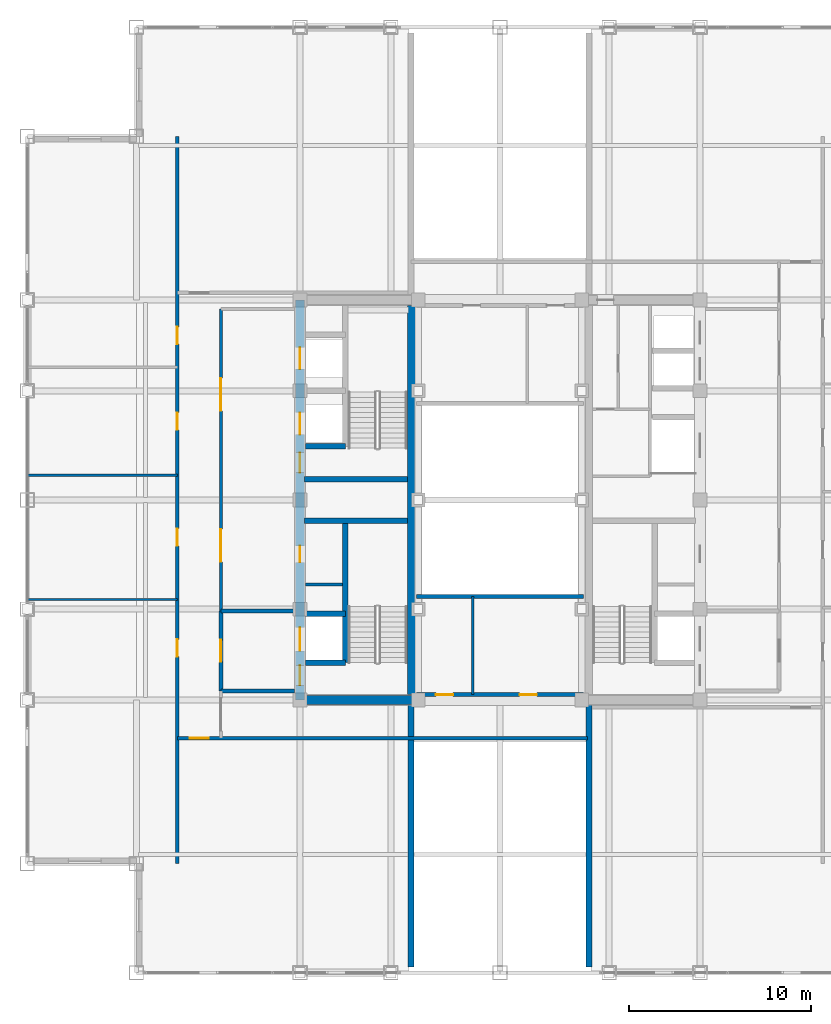
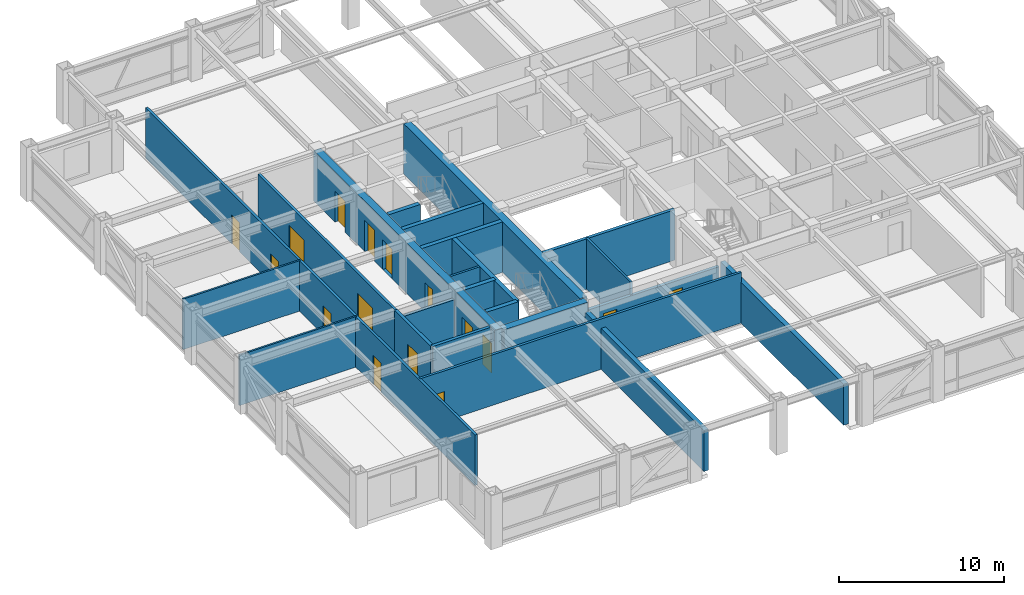
# One storey, part 25 of 29: 23 walls, 16 doors, 16 openings.
"""IFC4 building model written with IfcOpenShell, lengths in metres."""

from ifc_helpers import new_model, si_unit, direction, frame, frame_2d, origin, place, context, subcontext, project, spatial, rectangle, extrude, source, transform, mapped, material, layer, layer_set, type_object, element, fill, save


model = new_model("IFC4")

# Units and contexts
model_context = context("Model", 3, precision=1e-05, world=origin(), true_north=direction((0.0, 1.0)))
body_context = subcontext(model_context, "Body", "Model", "MODEL_VIEW")
ifc_project = project(units=[si_unit("LENGTHUNIT", "METRE"), si_unit("AREAUNIT", "SQUARE_METRE"), si_unit("VOLUMEUNIT", "CUBIC_METRE"), si_unit("PLANEANGLEUNIT", "RADIAN"), si_unit("MASSUNIT", "GRAM", prefix="KILO")], contexts=[model_context])

# Site, building, storey
site_placement = place(None, origin())
site = spatial("IfcSite", under=ifc_project, at=site_placement, CompositionType="ELEMENT")
building_placement = place(site_placement, origin())
building = spatial("IfcBuilding", under=site, at=building_placement, Name="Khorayat Bourse Tower", CompositionType="ELEMENT")
storey_placement = place(building_placement, frame((0.0, 0.0, 354.300048828125)))
storey = spatial("IfcBuildingStorey", under=building, at=storey_placement, Name="L84", CompositionType="ELEMENT", Elevation=354.300048828125)

# Wall, openings, doors
ifc_material_1 = material(Name="Concrete C52/65", Category="concrete")
ifc_layer_1 = layer(ifc_material_1, 0.5)
ifc_layer_set_1 = layer_set([ifc_layer_1], Name="Concrete C52/65")
wall_type_1 = type_object("IfcWallType", Name="WAL-CORE-500", PredefinedType="SHEAR", material=ifc_layer_set_1)
shared_shape_1 = source(origin(), body_context, "Body", "SweptSolid", [
    extrude(rectangle(XDim=22.0, YDim=0.5, at=frame_2d((11.0, 0.0))), origin(), (0.0, 0.0, 1.0), 3.739990234375),
])
wall_1_placement = place(storey_placement, frame((-11.0, -11.0, 0.0), z_axis=(0.0, 0.0, 1.0), x_axis=(0.0, 1.0, 0.0)))
wall_1 = element("IfcWall", 1, at=wall_1_placement, inside=storey, type_object=wall_type_1, Name="L84 Core Shear Wall CORE-W", PredefinedType="SHEAR", context=body_context, shape_type="MappedRepresentation", body=[
    mapped(shared_shape_1, transform((0.0, 0.0, 0.0), scale=1.0)),
])
shared_shape_2 = source(origin(), body_context, "Body", "SweptSolid", [
    extrude(rectangle(XDim=1.10009765625, YDim=2.199951171875, at=frame_2d((0.550048828125, 1.10009765625))), frame((0.0, 0.260009765625, 0.0), z_axis=(0.0, -1.0, 0.0), x_axis=(1.0, 0.0, 0.0)), (0.0, 0.0, 1.0), 0.52001953125),
])
opening_1_placement = place(wall_1_placement, frame((0.800048828125, 0.0, 0.0)))
opening_1 = element("IfcOpeningElement", 2, at=opening_1_placement, cuts=wall_1, Name="Opening DI-01", PredefinedType="OPENING", context=body_context, shape_type="MappedRepresentation", body=[
    mapped(shared_shape_2, transform((0.0, 0.0, 0.0), scale=1.0)),
])
opening_2_placement = place(wall_1_placement, frame((12.5, 0.0, 0.0)))
opening_2 = element("IfcOpeningElement", 3, at=opening_2_placement, cuts=wall_1, Name="Opening DI-01", PredefinedType="OPENING", context=body_context, shape_type="MappedRepresentation", body=[
    mapped(shared_shape_2, transform((0.0, 0.0, 0.0), scale=1.0)),
])
shared_shape_3 = source(origin(), body_context, "Body", "SweptSolid", [
    extrude(rectangle(XDim=0.89990234375, YDim=2.14990234375, at=frame_2d((0.449951171875, 1.074951171875))), frame((0.0, 0.260009765625, 0.0), z_axis=(0.0, -1.0, 0.0), x_axis=(1.0, 0.0, 0.0)), (0.0, 0.0, 1.0), 0.52001953125),
])
opening_3_placement = place(wall_1_placement, frame((7.574951171875, 0.0, 0.0)))
opening_3 = element("IfcOpeningElement", 4, at=opening_3_placement, cuts=wall_1, Name="Opening DI-06", PredefinedType="OPENING", context=body_context, shape_type="MappedRepresentation", body=[
    mapped(shared_shape_3, transform((0.0, 0.0, 0.0), scale=1.0)),
])
shared_shape_4 = source(origin(), body_context, "Body", "SweptSolid", [
    extrude(rectangle(XDim=1.199951171875, YDim=2.300048828125, at=frame_2d((0.60009765625, 1.14990234375))), frame((0.0, 0.260009765625, 0.0), z_axis=(0.0, -1.0, 0.0), x_axis=(1.0, 0.0, 0.0)), (0.0, 0.0, 1.0), 0.52001953125),
])
opening_4_placement = place(wall_1_placement, frame((14.60009765625, 0.0, 0.0)))
opening_4 = element("IfcOpeningElement", 5, at=opening_4_placement, cuts=wall_1, Name="Opening LD-01", PredefinedType="OPENING", context=body_context, shape_type="MappedRepresentation", body=[
    mapped(shared_shape_4, transform((0.0, 0.0, 0.0), scale=1.0)),
])
opening_5_placement = place(wall_1_placement, frame((18.199951171875, 0.0, 0.0)))
opening_5 = element("IfcOpeningElement", 6, at=opening_5_placement, cuts=wall_1, Name="Opening LD-01", PredefinedType="OPENING", context=body_context, shape_type="MappedRepresentation", body=[
    mapped(shared_shape_4, transform((0.0, 0.0, 0.0), scale=1.0)),
])
shared_shape_5 = source(origin(), body_context, "Body", "SweptSolid", [
    extrude(rectangle(XDim=1.300048828125, YDim=2.300048828125, at=frame_2d((0.64990234375, 1.14990234375))), frame((0.0, 0.260009765625, 0.0), z_axis=(0.0, -1.0, 0.0), x_axis=(1.0, 0.0, 0.0)), (0.0, 0.0, 1.0), 0.52001953125),
])
opening_6_placement = place(wall_1_placement, frame((2.699951171875, 0.0, 0.0)))
opening_6 = element("IfcOpeningElement", 7, at=opening_6_placement, cuts=wall_1, Name="Opening LD-02", PredefinedType="OPENING", context=body_context, shape_type="MappedRepresentation", body=[
    mapped(shared_shape_5, transform((0.0, 0.0, 0.0), scale=1.0)),
])
ifc_material_2 = material(Name="Fire-rated steel acoustic leaf", Category="steel")
door_type_1 = type_object("IfcDoorType", Name="DR-INT-STAIR-1100", OperationType="NOTDEFINED", PredefinedType="DOOR", material=ifc_material_2)
shared_shape_6 = source(origin(), body_context, "Body", "SweptSolid", [
    extrude(rectangle(XDim=1.10009765625, YDim=2.199951171875, at=frame_2d((0.550048828125, 1.10009765625))), frame((0.0, 0.02490234375, 0.0), z_axis=(0.0, -1.0, 0.0), x_axis=(1.0, 0.0, 0.0)), (0.0, 0.0, 1.0), 0.050048828125),
])
door_1_placement = place(opening_1_placement, origin())
door_1 = element("IfcDoor", 8, at=door_1_placement, inside=storey, type_object=door_type_1, Name="L84 Exit Stair 1 Door", OperationType="SINGLE_SWING_RIGHT", OverallHeight=2.199951171875, OverallWidth=1.10009765625, PredefinedType="DOOR", context=body_context, shape_type="MappedRepresentation", body=[
    mapped(shared_shape_6, transform((0.0, 0.0, 0.0), scale=1.0)),
])
fill(opening_1, door_1)
door_2_placement = place(opening_2_placement, origin())
door_2 = element("IfcDoor", 9, at=door_2_placement, inside=storey, type_object=door_type_1, Name="L84 Exit Stair 2 Door", OperationType="SINGLE_SWING_RIGHT", OverallHeight=2.199951171875, OverallWidth=1.10009765625, PredefinedType="DOOR", context=body_context, shape_type="MappedRepresentation", body=[
    mapped(shared_shape_6, transform((0.0, 0.0, 0.0), scale=1.0)),
])
fill(opening_2, door_2)
ifc_material_3 = material(Name="Moisture-resistant laminate washroom door")
door_type_2 = type_object("IfcDoorType", Name="DR-INT-WC-900", OperationType="NOTDEFINED", PredefinedType="DOOR", material=ifc_material_3)
shared_shape_7 = source(origin(), body_context, "Body", "SweptSolid", [
    extrude(rectangle(XDim=0.89990234375, YDim=2.14990234375, at=frame_2d((0.449951171875, 1.074951171875))), frame((0.0, 0.02490234375, 0.0), z_axis=(0.0, -1.0, 0.0), x_axis=(1.0, 0.0, 0.0)), (0.0, 0.0, 1.0), 0.050048828125),
])
door_3_placement = place(opening_3_placement, origin())
door_3 = element("IfcDoor", 10, at=door_3_placement, inside=storey, type_object=door_type_2, Name="L84 UPS Switch Plant Room Door", OperationType="SINGLE_SWING_RIGHT", OverallHeight=2.14990234375, OverallWidth=0.89990234375, PredefinedType="DOOR", context=body_context, shape_type="MappedRepresentation", body=[
    mapped(shared_shape_7, transform((0.0, 0.0, 0.0), scale=1.0)),
])
fill(opening_3, door_3)
ifc_material_4 = material(Name="Brushed bronze stainless-steel sliding door", Category="steel")
door_type_3 = type_object("IfcDoorType", Name="DR-LIFT-PASS-1200", OperationType="NOTDEFINED", PredefinedType="DOOR", material=ifc_material_4)
shared_shape_8 = source(origin(), body_context, "Body", "SweptSolid", [
    extrude(rectangle(XDim=1.199951171875, YDim=2.300048828125, at=frame_2d((0.60009765625, 1.14990234375))), frame((0.0, 0.02490234375, 0.0), z_axis=(0.0, -1.0, 0.0), x_axis=(1.0, 0.0, 0.0)), (0.0, 0.0, 1.0), 0.050048828125),
])
door_4_placement = place(opening_4_placement, origin())
door_4 = element("IfcDoor", 11, at=door_4_placement, inside=storey, type_object=door_type_3, Name="L84 Lift PL-H1 Sliding Landing Door", OperationType="SLIDING_TO_LEFT", OverallHeight=2.300048828125, OverallWidth=1.199951171875, PredefinedType="DOOR", context=body_context, shape_type="MappedRepresentation", body=[
    mapped(shared_shape_8, transform((0.0, 0.0, 0.0), scale=1.0)),
])
fill(opening_4, door_4)
door_5_placement = place(opening_5_placement, origin())
door_5 = element("IfcDoor", 12, at=door_5_placement, inside=storey, type_object=door_type_3, Name="L84 Lift PL-H2 Sliding Landing Door", OperationType="SLIDING_TO_LEFT", OverallHeight=2.300048828125, OverallWidth=1.199951171875, PredefinedType="DOOR", context=body_context, shape_type="MappedRepresentation", body=[
    mapped(shared_shape_8, transform((0.0, 0.0, 0.0), scale=1.0)),
])
fill(opening_5, door_5)
ifc_material_5 = material(Name="Fire-rated stainless-steel sliding landing door", Category="steel")
door_type_4 = type_object("IfcDoorType", Name="DR-LIFT-FF-1300", OperationType="NOTDEFINED", PredefinedType="DOOR", material=ifc_material_5)
shared_shape_9 = source(origin(), body_context, "Body", "SweptSolid", [
    extrude(rectangle(XDim=1.300048828125, YDim=2.300048828125, at=frame_2d((0.64990234375, 1.14990234375))), frame((0.0, 0.02490234375, 0.0), z_axis=(0.0, -1.0, 0.0), x_axis=(1.0, 0.0, 0.0)), (0.0, 0.0, 1.0), 0.050048828125),
])
door_6_placement = place(opening_6_placement, origin())
door_6 = element("IfcDoor", 13, at=door_6_placement, inside=storey, type_object=door_type_4, Name="L84 Lift FFL-01 Sliding Landing Door", OperationType="SLIDING_TO_LEFT", OverallHeight=2.300048828125, OverallWidth=1.300048828125, PredefinedType="DOOR", context=body_context, shape_type="MappedRepresentation", body=[
    mapped(shared_shape_9, transform((0.0, 0.0, 0.0), scale=1.0)),
])
fill(opening_6, door_6)

# Walls
shared_shape_10 = source(origin(), body_context, "Body", "SweptSolid", [
    extrude(rectangle(XDim=21.39990234375, YDim=0.5, at=frame_2d((10.699951171875, 0.0))), origin(), (0.0, 0.0, 1.0), 3.739990234375),
])
wall_2_placement = place(storey_placement, frame((-4.85009765625, -10.699951171875, 0.0), z_axis=(0.0, 0.0, 1.0), x_axis=(0.0, 1.0, 0.0)))
element("IfcWall", 14, at=wall_2_placement, inside=storey, type_object=wall_type_1, Name="L84 Core Shear Wall PIER-W", PredefinedType="SHEAR", context=body_context, shape_type="MappedRepresentation", body=[
    mapped(shared_shape_10, transform((0.0, 0.0, 0.0), scale=1.0)),
])
shared_shape_11 = source(origin(), body_context, "Body", "SweptSolid", [
    extrude(rectangle(XDim=5.89990234375, YDim=0.5, at=frame_2d((2.949951171875, 0.0))), origin(), (0.0, 0.0, 1.0), 3.739990234375),
])
wall_3_placement = place(storey_placement, frame((-10.75, -11.0, 0.0), z_axis=(0.0, 0.0, 1.0), x_axis=(1.0, 0.0, 0.0)))
element("IfcWall", 15, at=wall_3_placement, inside=storey, type_object=wall_type_1, Name="L84 Core Shear Wall PIER-WS", PredefinedType="SHEAR", context=body_context, shape_type="MappedRepresentation", body=[
    mapped(shared_shape_11, transform((0.0, 0.0, 0.0), scale=1.0)),
])
ifc_material_6 = material(Name="Concrete C50/60", Category="concrete")
ifc_layer_2 = layer(ifc_material_6, 0.300048828125)
ifc_layer_set_2 = layer_set([ifc_layer_2], Name="Concrete C50/60")
wall_type_2 = type_object("IfcWallType", Name="WAL-SHAFT-300", PredefinedType="SHEAR", material=ifc_layer_set_2)
shared_shape_12 = source(origin(), body_context, "Body", "SweptSolid", [
    extrude(rectangle(XDim=5.64990234375, YDim=0.300048828125, at=frame_2d((2.824951171875, 0.0))), origin(), (0.0, 0.0, 1.0), 3.739990234375),
])
for number, where, z_axis, x_axis, name in (
    (16, (-10.75, -1.14990234375, 0.0), (0.0, 0.0, 1.0), (1.0, 0.0, 0.0), "L84 Core Shear Wall ST1-DIV"),
    (17, (-10.75, 1.14990234375, 0.0), (0.0, 0.0, 1.0), (1.0, 0.0, 0.0), "L84 Core Shear Wall ST2-DIV"),
):
    element("IfcWall", number, at=place(storey_placement, frame(where, z_axis=z_axis, x_axis=x_axis)), inside=storey, type_object=wall_type_2, Name=name, PredefinedType="SHEAR", context=body_context, shape_type="MappedRepresentation", body=[
        mapped(shared_shape_12, transform((0.0, 0.0, 0.0), scale=1.0)),
    ])
ifc_material_7 = material(Name="Precast concrete C45/55", Category="concrete")
ifc_layer_3 = layer(ifc_material_7, 0.320068359375)
ifc_layer_set_3 = layer_set([ifc_layer_3], Name="Precast concrete C45/55")
wall_type_3 = type_object("IfcWallType", Name="WAL-EXT-STONE-320", PredefinedType="STANDARD", material=ifc_layer_set_3)
shared_shape_13 = source(origin(), body_context, "Body", "SweptSolid", [
    extrude(rectangle(XDim=14.97998046875, YDim=0.320068359375, at=frame_2d((7.489990234375, 0.0))), origin(), (0.0, 0.0, 1.0), 3.044921875),
])
for number, where, z_axis, x_axis, name in (
    (18, (-4.89990234375, -25.679931640625, 0.0), (0.0, 0.0, 1.0), (0.0, 1.0, 0.0), "L84 Wind Portal West Cheek Wall S"),
    (19, (4.89990234375, -25.679931640625, 0.0), (0.0, 0.0, 1.0), (0.0, 1.0, 0.0), "L84 Wind Portal East Cheek Wall S"),
):
    element("IfcWall", number, at=place(storey_placement, frame(where, z_axis=z_axis, x_axis=x_axis)), inside=storey, type_object=wall_type_3, Name=name, PredefinedType="STANDARD", context=body_context, shape_type="MappedRepresentation", body=[
        mapped(shared_shape_13, transform((0.0, 0.0, 0.0), scale=1.0)),
    ])
shared_shape_14 = source(origin(), body_context, "Body", "SweptSolid", [
    extrude(rectangle(XDim=7.800048828125, YDim=0.300048828125, at=frame_2d((3.89990234375, 0.0))), origin(), (0.0, 0.0, 1.0), 3.739990234375),
])
wall_4_placement = place(storey_placement, frame((-8.5, -8.949951171875, 0.0), z_axis=(0.0, 0.0, 1.0), x_axis=(0.0, 1.0, 0.0)))
element("IfcWall", 20, at=wall_4_placement, inside=storey, type_object=wall_type_2, Name="L84 Partition WAL-L84-WPIER-SP", PredefinedType="SHEAR", context=body_context, shape_type="MappedRepresentation", body=[
    mapped(shared_shape_14, transform((0.0, 0.0, 0.0), scale=1.0)),
])
shared_shape_15 = source(origin(), body_context, "Body", "SweptSolid", [
    extrude(rectangle(XDim=2.199951171875, YDim=0.300048828125, at=frame_2d((1.10009765625, 0.0))), origin(), (0.0, 0.0, 1.0), 3.739990234375),
])
for number, where, z_axis, x_axis, name in (
    (21, (-10.699951171875, -8.949951171875, 0.0), (0.0, 0.0, 1.0), (1.0, 0.0, 0.0), "L84 Partition WAL-L84-WPIER-FF1S"),
    (22, (-10.699951171875, -6.25, 0.0), (0.0, 0.0, 1.0), (1.0, 0.0, 0.0), "L84 Partition WAL-L84-WPIER-FF1N"),
    (23, (-10.699951171875, 2.949951171875, 0.0), (0.0, 0.0, 1.0), (1.0, 0.0, 0.0), "L84 Partition WAL-L84-WPIER-H1S"),
):
    element("IfcWall", number, at=place(storey_placement, frame(where, z_axis=z_axis, x_axis=x_axis)), inside=storey, type_object=wall_type_2, Name=name, PredefinedType="SHEAR", context=body_context, shape_type="MappedRepresentation", body=[
        mapped(shared_shape_15, transform((0.0, 0.0, 0.0), scale=1.0)),
    ])
ifc_material_8 = material(Name="Gypsum plasterboard twin-frame partition")
ifc_layer_4 = layer(ifc_material_8, 0.14990234375)
ifc_layer_set_4 = layer_set([ifc_layer_4], Name="Gypsum plasterboard twin-frame partition")
wall_type_4 = type_object("IfcWallType", Name="WAL-PART-SUITE-150", PredefinedType="PARTITIONING", material=ifc_layer_set_4)
shared_shape_16 = source(origin(), body_context, "Body", "SweptSolid", [
    extrude(rectangle(XDim=2.050048828125, YDim=0.14990234375, at=frame_2d((1.02490234375, 0.0))), origin(), (0.0, 0.0, 1.0), 3.739990234375),
])
wall_5_placement = place(storey_placement, frame((-10.699951171875, -4.64990234375, 0.0), z_axis=(0.0, 0.0, 1.0), x_axis=(1.0, 0.0, 0.0)))
element("IfcWall", 24, at=wall_5_placement, inside=storey, type_object=wall_type_4, Name="L84 Partition WAL-L84-WSRV-S0", PredefinedType="PARTITIONING", context=body_context, shape_type="MappedRepresentation", body=[
    mapped(shared_shape_16, transform((0.0, 0.0, 0.0), scale=1.0)),
])
ifc_material_9 = material(Name="Aerated concrete blockwork", Category="masonry")
ifc_layer_5 = layer(ifc_material_9, 0.219970703125)
ifc_layer_set_5 = layer_set([ifc_layer_5], Name="Aerated concrete blockwork")
wall_type_5 = type_object("IfcWallType", Name="WAL-PART-FF-220", PredefinedType="PARTITIONING", material=ifc_layer_set_5)
shared_shape_17 = source(origin(), body_context, "Body", "SweptSolid", [
    extrude(rectangle(XDim=4.050048828125, YDim=0.219970703125, at=frame_2d((2.02490234375, 0.0))), origin(), (0.0, 0.0, 1.0), 3.739990234375),
])
wall_6_placement = place(storey_placement, frame((-15.35009765625, -10.5, 0.0), z_axis=(0.0, 0.0, 1.0), x_axis=(1.0, 0.0, 0.0)))
element("IfcWall", 25, at=wall_6_placement, inside=storey, type_object=wall_type_5, Name="L84 Partition WAL-L84-FFLW-S", PredefinedType="PARTITIONING", context=body_context, shape_type="MappedRepresentation", body=[
    mapped(shared_shape_17, transform((0.0, 0.0, 0.0), scale=1.0)),
])
shared_shape_18 = source(origin(), body_context, "Body", "SweptSolid", [
    extrude(rectangle(XDim=4.050048828125, YDim=0.219970703125, at=frame_2d((2.02490234375, 0.0))), origin(), (0.0, 0.0, 1.0), 3.1240234375),
])
wall_7_placement = place(storey_placement, frame((-15.35009765625, -6.10009765625, 0.0), z_axis=(0.0, 0.0, 1.0), x_axis=(1.0, 0.0, 0.0)))
element("IfcWall", 26, at=wall_7_placement, inside=storey, type_object=wall_type_5, Name="L84 Partition WAL-L84-FFLW-N", PredefinedType="PARTITIONING", context=body_context, shape_type="MappedRepresentation", body=[
    mapped(shared_shape_18, transform((0.0, 0.0, 0.0), scale=1.0)),
])

# Wall, opening, door
shared_shape_19 = source(origin(), body_context, "Body", "SweptSolid", [
    extrude(rectangle(XDim=4.39990234375, YDim=0.219970703125, at=frame_2d((2.199951171875, 0.0))), origin(), (0.0, 0.0, 1.0), 3.739990234375),
])
wall_8_placement = place(storey_placement, frame((-15.35009765625, -10.5, 0.0), z_axis=(0.0, 0.0, 1.0), x_axis=(0.0, 1.0, 0.0)))
wall_8 = element("IfcWall", 27, at=wall_8_placement, inside=storey, type_object=wall_type_5, Name="L84 Partition WAL-L84-FFLW-W", PredefinedType="PARTITIONING", context=body_context, shape_type="MappedRepresentation", body=[
    mapped(shared_shape_19, transform((0.0, 0.0, 0.0), scale=1.0)),
])
shared_shape_20 = source(origin(), body_context, "Body", "SweptSolid", [
    extrude(rectangle(XDim=1.199951171875, YDim=2.199951171875, at=frame_2d((0.60009765625, 1.10009765625))), frame((0.0, 0.119873046875, 0.0), z_axis=(0.0, -1.0, 0.0), x_axis=(1.0, 0.0, 0.0)), (0.0, 0.0, 1.0), 0.239990234375),
])
opening_7_placement = place(wall_8_placement, frame((1.60009765625, 0.0, 0.0)))
opening_7 = element("IfcOpeningElement", 28, at=opening_7_placement, cuts=wall_8, Name="Opening DI-02", PredefinedType="OPENING", context=body_context, shape_type="MappedRepresentation", body=[
    mapped(shared_shape_20, transform((0.0, 0.0, 0.0), scale=1.0)),
])
ifc_material_10 = material(Name="Fire-rated steel double-seal leaf", Category="steel")
door_type_5 = type_object("IfcDoorType", Name="DR-INT-FFLOBBY-1200", OperationType="NOTDEFINED", PredefinedType="DOOR", material=ifc_material_10)
shared_shape_21 = source(origin(), body_context, "Body", "SweptSolid", [
    extrude(rectangle(XDim=1.199951171875, YDim=2.199951171875, at=frame_2d((0.60009765625, 1.10009765625))), frame((0.0, 0.02490234375, 0.0), z_axis=(0.0, -1.0, 0.0), x_axis=(1.0, 0.0, 0.0)), (0.0, 0.0, 1.0), 0.050048828125),
])
door_7_placement = place(opening_7_placement, origin())
door_7 = element("IfcDoor", 29, at=door_7_placement, inside=storey, type_object=door_type_5, Name="L84 West Firefighting Lobby Door", OperationType="SINGLE_SWING_LEFT", OverallHeight=2.199951171875, OverallWidth=1.199951171875, PredefinedType="DOOR", context=body_context, shape_type="MappedRepresentation", body=[
    mapped(shared_shape_21, transform((0.0, 0.0, 0.0), scale=1.0)),
])
fill(opening_7, door_7)

# Wall, openings, doors
ifc_material_11 = material(Name="Gypsum plasterboard acoustic stud wall")
ifc_layer_6 = layer(ifc_material_11, 0.179931640625)
ifc_layer_set_6 = layer_set([ifc_layer_6], Name="Gypsum plasterboard acoustic stud wall")
wall_type_6 = type_object("IfcWallType", Name="WAL-PART-CORR-180", PredefinedType="PARTITIONING", material=ifc_layer_set_6)
shared_shape_22 = source(origin(), body_context, "Body", "SweptSolid", [
    extrude(rectangle(XDim=16.60009765625, YDim=0.179931640625, at=frame_2d((8.300048828125, 0.0))), origin(), (0.0, 0.0, 1.0), 3.739990234375),
])
wall_9_placement = place(storey_placement, frame((-15.35009765625, -6.10009765625, 0.0), z_axis=(0.0, 0.0, 1.0), x_axis=(0.0, 1.0, 0.0)))
wall_9 = element("IfcWall", 30, at=wall_9_placement, inside=storey, type_object=wall_type_6, Name="L84 Partition WAL-L84-WLOB-W", PredefinedType="PARTITIONING", context=body_context, shape_type="MappedRepresentation", body=[
    mapped(shared_shape_22, transform((0.0, 0.0, 0.0), scale=1.0)),
])
shared_shape_23 = source(origin(), body_context, "Body", "SweptSolid", [
    extrude(rectangle(XDim=1.800048828125, YDim=2.25, at=frame_2d((0.89990234375, 1.125))), frame((0.0, 0.099853515625, 0.0), z_axis=(0.0, -1.0, 0.0), x_axis=(1.0, 0.0, 0.0)), (0.0, 0.0, 1.0), 0.199951171875),
])
opening_8_placement = place(wall_9_placement, frame((2.699951171875, 0.0, 0.0)))
opening_8 = element("IfcOpeningElement", 31, at=opening_8_placement, cuts=wall_9, Name="Opening DI-03", PredefinedType="OPENING", context=body_context, shape_type="MappedRepresentation", body=[
    mapped(shared_shape_23, transform((0.0, 0.0, 0.0), scale=1.0)),
])
opening_9_placement = place(wall_9_placement, frame((11.0, 0.0, 0.0)))
opening_9 = element("IfcOpeningElement", 32, at=opening_9_placement, cuts=wall_9, Name="Opening DI-03", PredefinedType="OPENING", context=body_context, shape_type="MappedRepresentation", body=[
    mapped(shared_shape_23, transform((0.0, 0.0, 0.0), scale=1.0)),
])
ifc_material_12 = material(Name="Fire-rated hardwood vision-panel double leaf", Category="wood")
door_type_6 = type_object("IfcDoorType", Name="DR-INT-CORR-1800", OperationType="NOTDEFINED", PredefinedType="DOOR", material=ifc_material_12)
shared_shape_24 = source(origin(), body_context, "Body", "SweptSolid", [
    extrude(rectangle(XDim=1.800048828125, YDim=2.25, at=frame_2d((0.89990234375, 1.125))), frame((0.0, 0.02490234375, 0.0), z_axis=(0.0, -1.0, 0.0), x_axis=(1.0, 0.0, 0.0)), (0.0, 0.0, 1.0), 0.050048828125),
])
door_8_placement = place(opening_8_placement, origin())
door_8 = element("IfcDoor", 33, at=door_8_placement, inside=storey, type_object=door_type_6, Name="L84 West Core Lobby South Door", OperationType="SINGLE_SWING_LEFT", OverallHeight=2.25, OverallWidth=1.800048828125, PredefinedType="DOOR", context=body_context, shape_type="MappedRepresentation", body=[
    mapped(shared_shape_24, transform((0.0, 0.0, 0.0), scale=1.0)),
])
fill(opening_8, door_8)
door_9_placement = place(opening_9_placement, origin())
door_9 = element("IfcDoor", 34, at=door_9_placement, inside=storey, type_object=door_type_6, Name="L84 West Core Lobby North Door", OperationType="SINGLE_SWING_RIGHT", OverallHeight=2.25, OverallWidth=1.800048828125, PredefinedType="DOOR", context=body_context, shape_type="MappedRepresentation", body=[
    mapped(shared_shape_24, transform((0.0, 0.0, 0.0), scale=1.0)),
])
fill(opening_9, door_9)

# Walls
shared_shape_25 = source(origin(), body_context, "Body", "SweptSolid", [
    extrude(rectangle(XDim=5.39990234375, YDim=0.14990234375, at=frame_2d((2.699951171875, 0.0))), origin(), (0.0, 0.0, 1.0), 3.739990234375),
])
wall_10_placement = place(storey_placement, frame((-1.5, -10.699951171875, 0.0), z_axis=(0.0, 0.0, 1.0), x_axis=(0.0, 1.0, 0.0)))
element("IfcWall", 35, at=wall_10_placement, inside=storey, type_object=wall_type_4, Name="L84 Partition WAL-L84-WPB1-D", PredefinedType="PARTITIONING", context=body_context, shape_type="MappedRepresentation", body=[
    mapped(shared_shape_25, transform((0.0, 0.0, 0.0), scale=1.0)),
])
shared_shape_26 = source(origin(), body_context, "Body", "SweptSolid", [
    extrude(rectangle(XDim=9.2001953125, YDim=0.219970703125, at=frame_2d((4.60009765625, 0.0))), origin(), (0.0, 0.0, 1.0), 3.739990234375),
])
wall_11_placement = place(storey_placement, frame((-4.60009765625, -5.300048828125, 0.0), z_axis=(0.0, 0.0, 1.0), x_axis=(1.0, 0.0, 0.0)))
element("IfcWall", 36, at=wall_11_placement, inside=storey, type_object=wall_type_5, Name="L84 Partition WAL-L84-WPB1-N", PredefinedType="PARTITIONING", context=body_context, shape_type="MappedRepresentation", body=[
    mapped(shared_shape_26, transform((0.0, 0.0, 0.0), scale=1.0)),
])

# Wall, opening, door
shared_shape_27 = source(origin(), body_context, "Body", "SweptSolid", [
    extrude(rectangle(XDim=22.550048828125, YDim=0.179931640625, at=frame_2d((11.27490234375, 0.0))), origin(), (0.0, 0.0, 1.0), 3.739990234375),
])
wall_12_placement = place(storey_placement, frame((-17.75, -13.10009765625, 0.0), z_axis=(0.0, 0.0, 1.0), x_axis=(1.0, 0.0, 0.0)))
wall_12 = element("IfcWall", 37, at=wall_12_placement, inside=storey, type_object=wall_type_6, Name="L84 Partition WAL-L84-WPS-N", PredefinedType="PARTITIONING", context=body_context, shape_type="MappedRepresentation", body=[
    mapped(shared_shape_27, transform((0.0, 0.0, 0.0), scale=1.0)),
])
shared_shape_28 = source(origin(), body_context, "Body", "SweptSolid", [
    extrude(rectangle(XDim=1.050048828125, YDim=2.199951171875, at=frame_2d((0.52490234375, 1.10009765625))), frame((0.0, 0.099853515625, 0.0), z_axis=(0.0, -1.0, 0.0), x_axis=(1.0, 0.0, 0.0)), (0.0, 0.0, 1.0), 0.199951171875),
])
opening_10_placement = place(wall_12_placement, frame((0.675048828125, 0.0, 0.0)))
opening_10 = element("IfcOpeningElement", 38, at=opening_10_placement, cuts=wall_12, Name="Opening DI-04", PredefinedType="OPENING", context=body_context, shape_type="MappedRepresentation", body=[
    mapped(shared_shape_28, transform((0.0, 0.0, 0.0), scale=1.0)),
])
ifc_material_13 = material(Name="Fire-rated oak veneer suite entrance door")
door_type_7 = type_object("IfcDoorType", Name="DR-INT-SUITE-1050", OperationType="NOTDEFINED", PredefinedType="DOOR", material=ifc_material_13)
shared_shape_29 = source(origin(), body_context, "Body", "SweptSolid", [
    extrude(rectangle(XDim=1.050048828125, YDim=2.199951171875, at=frame_2d((0.52490234375, 1.10009765625))), frame((0.0, 0.02490234375, 0.0), z_axis=(0.0, -1.0, 0.0), x_axis=(1.0, 0.0, 0.0)), (0.0, 0.0, 1.0), 0.050048828125),
])
door_10_placement = place(opening_10_placement, origin())
door_10 = element("IfcDoor", 39, at=door_10_placement, inside=storey, type_object=door_type_7, Name="L84 West Portal Boardroom Door", OperationType="SINGLE_SWING_LEFT", OverallHeight=2.199951171875, OverallWidth=1.050048828125, PredefinedType="DOOR", context=body_context, shape_type="MappedRepresentation", body=[
    mapped(shared_shape_29, transform((0.0, 0.0, 0.0), scale=1.0)),
])
fill(opening_10, door_10)

# Walls
ifc_material_14 = material(Name="Gypsum plasterboard partition")
ifc_layer_7 = layer(ifc_material_14, 0.125)
ifc_layer_set_7 = layer_set([ifc_layer_7], Name="Gypsum plasterboard partition")
wall_type_7 = type_object("IfcWallType", Name="WAL-PART-ROOM-125", PredefinedType="PARTITIONING", material=ifc_layer_set_7)
shared_shape_30 = source(origin(), body_context, "Body", "SweptSolid", [
    extrude(rectangle(XDim=8.25, YDim=0.125, at=frame_2d((4.125, 0.0))), origin(), (0.0, 0.0, 1.0), 3.739990234375),
])
for number, where, z_axis, x_axis, name in (
    (40, (-26.0, -5.471923828125, 0.0), (0.0, 0.0, 1.0), (1.0, 0.0, 0.0), "L84 Partition WAL-L84-WPWDV-1"),
    (41, (-26.0, 1.367919921875, 0.0), (0.0, 0.0, 1.0), (1.0, 0.0, 0.0), "L84 Partition WAL-L84-WPWDV-2"),
):
    element("IfcWall", number, at=place(storey_placement, frame(where, z_axis=z_axis, x_axis=x_axis)), inside=storey, type_object=wall_type_7, Name=name, PredefinedType="PARTITIONING", context=body_context, shape_type="MappedRepresentation", body=[
        mapped(shared_shape_30, transform((0.0, 0.0, 0.0), scale=1.0)),
    ])

# Wall, openings, doors
shared_shape_31 = source(origin(), body_context, "Body", "SweptSolid", [
    extrude(rectangle(XDim=40.0, YDim=0.179931640625, at=frame_2d((20.0, 0.0))), origin(), (0.0, 0.0, 1.0), 3.739990234375),
])
wall_13_placement = place(storey_placement, frame((-17.75, -20.0, 0.0), z_axis=(0.0, 0.0, 1.0), x_axis=(0.0, 1.0, 0.0)))
wall_13 = element("IfcWall", 42, at=wall_13_placement, inside=storey, type_object=wall_type_6, Name="L84 Partition WAL-L84-WPWCORR", PredefinedType="PARTITIONING", context=body_context, shape_type="MappedRepresentation", body=[
    mapped(shared_shape_31, transform((0.0, 0.0, 0.0), scale=1.0)),
])
shared_shape_32 = source(origin(), body_context, "Body", "SweptSolid", [
    extrude(rectangle(XDim=0.949951171875, YDim=2.14990234375, at=frame_2d((0.47509765625, 1.074951171875))), frame((0.0, 0.099853515625, 0.0), z_axis=(0.0, -1.0, 0.0), x_axis=(1.0, 0.0, 0.0)), (0.0, 0.0, 1.0), 0.199951171875),
])
opening_11_placement = place(wall_13_placement, frame((11.388916015625, 0.0, 0.0)))
opening_11 = element("IfcOpeningElement", 43, at=opening_11_placement, cuts=wall_13, Name="Opening DI-05", PredefinedType="OPENING", context=body_context, shape_type="MappedRepresentation", body=[
    mapped(shared_shape_32, transform((0.0, 0.0, 0.0), scale=1.0)),
])
opening_12_placement = place(wall_13_placement, frame((17.472900390625, 0.0, 0.0)))
opening_12 = element("IfcOpeningElement", 44, at=opening_12_placement, cuts=wall_13, Name="Opening DI-05", PredefinedType="OPENING", context=body_context, shape_type="MappedRepresentation", body=[
    mapped(shared_shape_32, transform((0.0, 0.0, 0.0), scale=1.0)),
])
opening_13_placement = place(wall_13_placement, frame((23.85693359375, 0.0, 0.0)))
opening_13 = element("IfcOpeningElement", 45, at=opening_13_placement, cuts=wall_13, Name="Opening DI-05", PredefinedType="OPENING", context=body_context, shape_type="MappedRepresentation", body=[
    mapped(shared_shape_32, transform((0.0, 0.0, 0.0), scale=1.0)),
])
opening_14_placement = place(wall_13_placement, frame((28.572998046875, 0.0, 0.0)))
opening_14 = element("IfcOpeningElement", 46, at=opening_14_placement, cuts=wall_13, Name="Opening DI-05", PredefinedType="OPENING", context=body_context, shape_type="MappedRepresentation", body=[
    mapped(shared_shape_32, transform((0.0, 0.0, 0.0), scale=1.0)),
])
ifc_material_15 = material(Name="Acoustic oak veneer office door")
door_type_8 = type_object("IfcDoorType", Name="DR-INT-OFFICE-950", OperationType="NOTDEFINED", PredefinedType="DOOR", material=ifc_material_15)
shared_shape_33 = source(origin(), body_context, "Body", "SweptSolid", [
    extrude(rectangle(XDim=0.949951171875, YDim=2.14990234375, at=frame_2d((0.47509765625, 1.074951171875))), frame((0.0, 0.02490234375, 0.0), z_axis=(0.0, -1.0, 0.0), x_axis=(1.0, 0.0, 0.0)), (0.0, 0.0, 1.0), 0.050048828125),
])
door_11_placement = place(opening_11_placement, origin())
door_11 = element("IfcDoor", 47, at=door_11_placement, inside=storey, type_object=door_type_8, Name="L84 Executive Boardroom WPW1 Door", OperationType="SINGLE_SWING_RIGHT", OverallHeight=2.14990234375, OverallWidth=0.949951171875, PredefinedType="DOOR", context=body_context, shape_type="MappedRepresentation", body=[
    mapped(shared_shape_33, transform((0.0, 0.0, 0.0), scale=1.0)),
])
fill(opening_11, door_11)
door_12_placement = place(opening_12_placement, origin())
door_12 = element("IfcDoor", 48, at=door_12_placement, inside=storey, type_object=door_type_8, Name="L84 Clearing Operations Office WPW2 Door", OperationType="SINGLE_SWING_LEFT", OverallHeight=2.14990234375, OverallWidth=0.949951171875, PredefinedType="DOOR", context=body_context, shape_type="MappedRepresentation", body=[
    mapped(shared_shape_33, transform((0.0, 0.0, 0.0), scale=1.0)),
])
fill(opening_12, door_12)
door_13_placement = place(opening_13_placement, origin())
door_13 = element("IfcDoor", 49, at=door_13_placement, inside=storey, type_object=door_type_8, Name="L84 Market Committee Conference Room WPW3 Door", OperationType="SINGLE_SWING_RIGHT", OverallHeight=2.14990234375, OverallWidth=0.949951171875, PredefinedType="DOOR", context=body_context, shape_type="MappedRepresentation", body=[
    mapped(shared_shape_33, transform((0.0, 0.0, 0.0), scale=1.0)),
])
fill(opening_13, door_13)
door_14_placement = place(opening_14_placement, origin())
door_14 = element("IfcDoor", 50, at=door_14_placement, inside=storey, type_object=door_type_8, Name="L84 Staff Tea Pantry WPW4 Door", OperationType="SINGLE_SWING_LEFT", OverallHeight=2.14990234375, OverallWidth=0.949951171875, PredefinedType="DOOR", context=body_context, shape_type="MappedRepresentation", body=[
    mapped(shared_shape_33, transform((0.0, 0.0, 0.0), scale=1.0)),
])
fill(opening_14, door_14)

shared_shape_34 = source(origin(), body_context, "Body", "SweptSolid", [
    extrude(rectangle(XDim=9.2001953125, YDim=0.219970703125, at=frame_2d((4.60009765625, 0.0))), origin(), (0.0, 0.0, 1.0), 2.7900390625),
])
wall_14_placement = place(storey_placement, frame((-4.60009765625, -10.699951171875, 0.0), z_axis=(0.0, 0.0, 1.0), x_axis=(1.0, 0.0, 0.0)))
wall_14 = element("IfcWall", 51, at=wall_14_placement, inside=storey, type_object=wall_type_5, Name="L84 Partition WAL-L84-WPB1-S", PredefinedType="PARTITIONING", context=body_context, shape_type="MappedRepresentation", body=[
    mapped(shared_shape_34, transform((0.0, 0.0, 0.0), scale=1.0)),
])
shared_shape_35 = source(origin(), body_context, "Body", "SweptSolid", [
    extrude(rectangle(XDim=0.949951171875, YDim=2.14990234375, at=frame_2d((0.47509765625, 1.074951171875))), frame((0.0, 0.119873046875, 0.0), z_axis=(0.0, -1.0, 0.0), x_axis=(1.0, 0.0, 0.0)), (0.0, 0.0, 1.0), 0.239990234375),
])
opening_15_placement = place(wall_14_placement, frame((1.074951171875, 0.0, 0.0)))
opening_15 = element("IfcOpeningElement", 52, at=opening_15_placement, cuts=wall_14, Name="Opening DI-05", PredefinedType="OPENING", context=body_context, shape_type="MappedRepresentation", body=[
    mapped(shared_shape_35, transform((0.0, 0.0, 0.0), scale=1.0)),
])
opening_16_placement = place(wall_14_placement, frame((5.675048828125, 0.0, 0.0)))
opening_16 = element("IfcOpeningElement", 53, at=opening_16_placement, cuts=wall_14, Name="Opening DI-05", PredefinedType="OPENING", context=body_context, shape_type="MappedRepresentation", body=[
    mapped(shared_shape_35, transform((0.0, 0.0, 0.0), scale=1.0)),
])
door_15_placement = place(opening_15_placement, origin())
door_15 = element("IfcDoor", 54, at=door_15_placement, inside=storey, type_object=door_type_8, Name="L84 South Bridge Archive Door", OperationType="SINGLE_SWING_LEFT", OverallHeight=2.14990234375, OverallWidth=0.949951171875, PredefinedType="DOOR", context=body_context, shape_type="MappedRepresentation", body=[
    mapped(shared_shape_33, transform((0.0, 0.0, 0.0), scale=1.0)),
])
fill(opening_15, door_15)
door_16_placement = place(opening_16_placement, origin())
door_16 = element("IfcDoor", 55, at=door_16_placement, inside=storey, type_object=door_type_8, Name="L84 South Bridge Telemetry Door", OperationType="SINGLE_SWING_RIGHT", OverallHeight=2.14990234375, OverallWidth=0.949951171875, PredefinedType="DOOR", context=body_context, shape_type="MappedRepresentation", body=[
    mapped(shared_shape_33, transform((0.0, 0.0, 0.0), scale=1.0)),
])
fill(opening_16, door_16)

save(model, "model.ifc")
